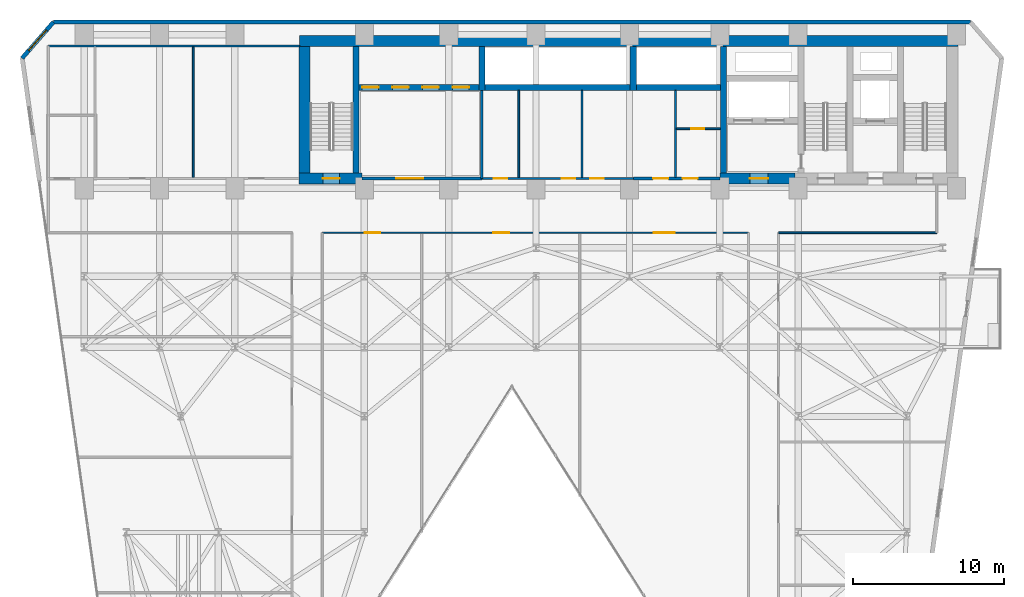
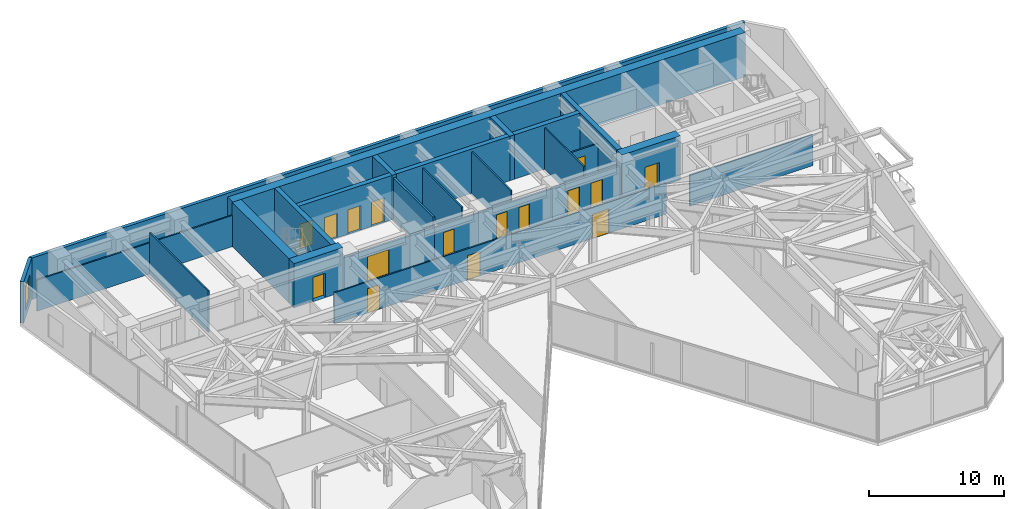
# One storey, part 20 of 24: 25 walls, 16 doors, 1 window, 17 openings.
"""IFC4 building model written with IfcOpenShell, lengths in metres."""

from ifc_helpers import new_model, si_unit, direction, frame, frame_2d, origin, place, context, subcontext, project, spatial, rectangle, extrude, material, layer, layer_set, type_object, element, fill, save


model = new_model("IFC4")

# Units and contexts
model_context = context("Model", 3, precision=1e-05, world=origin(), true_north=direction((0.0, 1.0)))
body_context = subcontext(model_context, "Body", "Model", "MODEL_VIEW")
ifc_project = project(units=[si_unit("LENGTHUNIT", "METRE"), si_unit("AREAUNIT", "SQUARE_METRE"), si_unit("VOLUMEUNIT", "CUBIC_METRE"), si_unit("PLANEANGLEUNIT", "RADIAN"), si_unit("MASSUNIT", "GRAM", prefix="KILO")], contexts=[model_context])

# Site, building, storey
site_placement = place(None, origin())
site = spatial("IfcSite", under=ifc_project, at=site_placement, CompositionType="ELEMENT")
building_placement = place(site_placement, origin())
building = spatial("IfcBuilding", under=site, at=building_placement, Name="Kravanh Interchange Tower", CompositionType="ELEMENT")
storey_placement = place(building_placement, frame((0.0, 0.0, 77.5)))
storey = spatial("IfcBuildingStorey", under=building, at=storey_placement, Name="L18", CompositionType="ELEMENT", Elevation=77.5)

# Wall
ifc_material_1 = material(Name="Double Acoustic Gypsum Board and Mineral Wool")
ifc_layer_1 = layer(ifc_material_1, 0.1201171875)
ifc_layer_set_1 = layer_set([ifc_layer_1], Name="Acoustic Office Drywall Partition 120mm")
wall_type_1 = type_object("IfcWallType", Name="Acoustic Office Drywall Partition 120mm", PredefinedType="PARTITIONING", material=ifc_layer_set_1)
wall_1_placement = place(storey_placement, frame((47.85009765625, 38.068115234375, 0.0), z_axis=(0.0, 0.0, 1.0), x_axis=(0.0, 1.0, 0.0)))
element("IfcWall", 1, at=wall_1_placement, inside=storey, type_object=wall_type_1, Name="L18 Interior Partition 2", PredefinedType="PARTITIONING", context=body_context, shape_type="SweptSolid", body=[
    extrude(rectangle(XDim=5.77392578125, YDim=0.1201171875, at=frame_2d((2.886962890625, 0.0))), origin(), (0.0, 0.0, 1.0), 3.739990234375),
])

# Wall, opening, door
wall_2_placement = place(storey_placement, frame((47.91796875, 41.300048828125, 0.0), z_axis=(0.0, 0.0, 1.0), x_axis=(1.0, 0.0, 0.0)))
wall_2 = element("IfcWall", 2, at=wall_2_placement, inside=storey, type_object=wall_type_1, Name="L18 Interior Partition 3", PredefinedType="PARTITIONING", context=body_context, shape_type="SweptSolid", body=[
    extrude(rectangle(XDim=2.924072265625, YDim=0.1201171875, at=frame_2d((1.4619140625, 0.0))), origin(), (0.0, 0.0, 1.0), 2.81298828125),
])
opening_1_placement = place(wall_2_placement, frame((0.9912109375, 0.0, 0.0)))
opening_1 = element("IfcOpeningElement", 3, at=opening_1_placement, cuts=wall_2, Name="Opening D-85", PredefinedType="OPENING", context=body_context, shape_type="SweptSolid", body=[
    extrude(rectangle(XDim=0.85009765625, YDim=2.10009765625, at=frame_2d((0.425048828125, 1.050048828125))), frame((0.0, 0.070068359375, 0.0), z_axis=(0.0, -1.0, 0.0), x_axis=(1.0, 0.0, 0.0)), (0.0, 0.0, 1.0), 0.14013671875),
])
ifc_material_2 = material(Name="Engineered Teak Veneer Timber", Category="wood")
door_type_1 = type_object("IfcDoorType", Name="En-Suite Timber Door 850x2100", OperationType="NOTDEFINED", PredefinedType="DOOR", material=ifc_material_2)
door_1_placement = place(opening_1_placement, origin())
door_1 = element("IfcDoor", 4, at=door_1_placement, inside=storey, type_object=door_type_1, Name="L18 Core Supply Inner Door", OperationType="SINGLE_SWING_RIGHT", OverallHeight=2.10009765625, OverallWidth=0.85009765625, PredefinedType="DOOR", context=body_context, shape_type="SweptSolid", body=[
    extrude(rectangle(XDim=0.85009765625, YDim=2.10009765625, at=frame_2d((0.425048828125, 1.050048828125))), frame((0.0, 0.02490234375, 0.0), z_axis=(0.0, -1.0, 0.0), x_axis=(1.0, 0.0, 0.0)), (0.0, 0.0, 1.0), 0.050048828125),
])
fill(opening_1, door_1)

# Walls
for number, where, z_axis, x_axis, name in (
    (5, (37.449951171875, 38.068115234375, 0.0), (0.0, 0.0, 1.0), (0.0, 1.0, 0.0), "L18 Interior Partition 7"),
    (6, (41.64990234375, 38.068115234375, 0.0), (0.0, 0.0, 1.0), (0.0, 1.0, 0.0), "L18 Interior Partition 8"),
):
    element("IfcWall", number, at=place(storey_placement, frame(where, z_axis=z_axis, x_axis=x_axis)), inside=storey, type_object=wall_type_1, Name=name, PredefinedType="PARTITIONING", context=body_context, shape_type="SweptSolid", body=[
        extrude(rectangle(XDim=5.77392578125, YDim=0.1201171875, at=frame_2d((2.886962890625, 0.0))), origin(), (0.0, 0.0, 1.0), 3.739990234375),
    ])
wall_3_placement = place(storey_placement, frame((6.219970703125, 46.800048828125, 0.0), z_axis=(0.0, 0.0, 1.0), x_axis=(1.0, 0.0, 0.0)))
element("IfcWall", 7, at=wall_3_placement, inside=storey, type_object=wall_type_1, Name="L18 Restroom North Enclosure 11", PredefinedType="PARTITIONING", context=body_context, shape_type="SweptSolid", body=[
    extrude(rectangle(XDim=16.679931640625, YDim=0.1201171875, at=frame_2d((8.33984375, 0.0))), origin(), (0.0, 0.0, 1.0), 2.81298828125),
])
wall_4_placement = place(storey_placement, frame((15.840087890625, 38.068115234375, 0.0), z_axis=(0.0, 0.0, 1.0), x_axis=(0.0, 1.0, 0.0)))
element("IfcWall", 8, at=wall_4_placement, inside=storey, type_object=wall_type_1, Name="L18 Interior Partition 13", PredefinedType="PARTITIONING", context=body_context, shape_type="SweptSolid", body=[
    extrude(rectangle(XDim=8.663818359375, YDim=0.1201171875, at=frame_2d((4.33203125, 0.0))), origin(), (0.0, 0.0, 1.0), 3.739990234375),
])

# Wall, openings, doors
wall_5_placement = place(storey_placement, frame((24.39990234375, 34.39990234375, 0.0), z_axis=(0.0, 0.0, 1.0), x_axis=(1.0, 0.0, 0.0)))
wall_5 = element("IfcWall", 9, at=wall_5_placement, inside=storey, type_object=wall_type_1, Name="L18 Interior Partition 16", PredefinedType="PARTITIONING", context=body_context, shape_type="SweptSolid", body=[
    extrude(rectangle(XDim=28.300048828125, YDim=0.1201171875, at=frame_2d((14.14990234375, 0.0))), origin(), (0.0, 0.0, 1.0), 2.81298828125),
])
opening_2_placement = place(wall_5_placement, frame((2.815185546875, 0.0, 0.0)))
opening_2 = element("IfcOpeningElement", 10, at=opening_2_placement, cuts=wall_5, Name="Opening D-105", PredefinedType="OPENING", context=body_context, shape_type="SweptSolid", body=[
    extrude(rectangle(XDim=1.050048828125, YDim=2.199951171875, at=frame_2d((0.52490234375, 1.10009765625))), frame((0.0, 0.070068359375, 0.0), z_axis=(0.0, -1.0, 0.0), x_axis=(1.0, 0.0, 0.0)), (0.0, 0.0, 1.0), 0.14013671875),
])
opening_3_placement = place(wall_5_placement, frame((11.365234375, 0.0, 0.0)))
opening_3 = element("IfcOpeningElement", 11, at=opening_3_placement, cuts=wall_5, Name="Opening D-105", PredefinedType="OPENING", context=body_context, shape_type="SweptSolid", body=[
    extrude(rectangle(XDim=1.050048828125, YDim=2.199951171875, at=frame_2d((0.52490234375, 1.10009765625))), frame((0.0, 0.070068359375, 0.0), z_axis=(0.0, -1.0, 0.0), x_axis=(1.0, 0.0, 0.0)), (0.0, 0.0, 1.0), 0.14013671875),
])
opening_4_placement = place(wall_5_placement, frame((22.0, 0.0, 0.0)))
opening_4 = element("IfcOpeningElement", 12, at=opening_4_placement, cuts=wall_5, Name="Opening DBL-140", PredefinedType="OPENING", context=body_context, shape_type="SweptSolid", body=[
    extrude(rectangle(XDim=1.39990234375, YDim=2.199951171875, at=frame_2d((0.699951171875, 1.10009765625))), frame((0.0, 0.070068359375, 0.0), z_axis=(0.0, -1.0, 0.0), x_axis=(1.0, 0.0, 0.0)), (0.0, 0.0, 1.0), 0.14013671875),
])
ifc_material_3 = material(Name="Acoustic Bronze-Framed Glass", Category="glass")
door_type_2 = type_object("IfcDoorType", Name="Hospitality Lounge Double Door 1400x2200", OperationType="DOUBLE_DOOR_SINGLE_SWING", PredefinedType="DOOR", material=ifc_material_3)
door_2_placement = place(opening_4_placement, origin())
door_2 = element("IfcDoor", 13, at=door_2_placement, inside=storey, type_object=door_type_2, Name="L18 Community Kitchenette Door", OperationType="DOUBLE_DOOR_SINGLE_SWING", OverallHeight=2.199951171875, OverallWidth=1.39990234375, PredefinedType="DOOR", context=body_context, shape_type="SweptSolid", body=[
    extrude(rectangle(XDim=1.39990234375, YDim=2.199951171875, at=frame_2d((0.699951171875, 1.10009765625))), frame((0.0, 0.02490234375, 0.0), z_axis=(0.0, -1.0, 0.0), x_axis=(1.0, 0.0, 0.0)), (0.0, 0.0, 1.0), 0.050048828125),
])
fill(opening_4, door_2)
ifc_material_4 = material(Name="Acoustic Glazed Oak and Aluminium", Category="aluminium")
door_type_3 = type_object("IfcDoorType", Name="Office Workplace Door 1050x2200", OperationType="NOTDEFINED", PredefinedType="DOOR", material=ifc_material_4)
door_3_placement = place(opening_2_placement, origin())
door_3 = element("IfcDoor", 14, at=door_3_placement, inside=storey, type_object=door_type_3, Name="L18 Incubator Commons Lounge Door", OperationType="SINGLE_SWING_LEFT", OverallHeight=2.199951171875, OverallWidth=1.050048828125, PredefinedType="DOOR", context=body_context, shape_type="SweptSolid", body=[
    extrude(rectangle(XDim=1.050048828125, YDim=2.199951171875, at=frame_2d((0.52490234375, 1.10009765625))), frame((0.0, 0.02490234375, 0.0), z_axis=(0.0, -1.0, 0.0), x_axis=(1.0, 0.0, 0.0)), (0.0, 0.0, 1.0), 0.050048828125),
])
fill(opening_2, door_3)
door_4_placement = place(opening_3_placement, origin())
door_4 = element("IfcDoor", 15, at=door_4_placement, inside=storey, type_object=door_type_3, Name="L18 Portfolio Office Door", OperationType="SINGLE_SWING_RIGHT", OverallHeight=2.199951171875, OverallWidth=1.050048828125, PredefinedType="DOOR", context=body_context, shape_type="SweptSolid", body=[
    extrude(rectangle(XDim=1.050048828125, YDim=2.199951171875, at=frame_2d((0.52490234375, 1.10009765625))), frame((0.0, 0.02490234375, 0.0), z_axis=(0.0, -1.0, 0.0), x_axis=(1.0, 0.0, 0.0)), (0.0, 0.0, 1.0), 0.050048828125),
])
fill(opening_3, door_4)

# Walls
wall_6_placement = place(storey_placement, frame((54.699951171875, 34.39990234375, 0.0), z_axis=(0.0, 0.0, 1.0), x_axis=(1.0, 0.0, 0.0)))
element("IfcWall", 16, at=wall_6_placement, inside=storey, type_object=wall_type_1, Name="L18 Interior Partition 17", PredefinedType="PARTITIONING", context=body_context, shape_type="SweptSolid", body=[
    extrude(rectangle(XDim=10.5, YDim=0.1201171875, at=frame_2d((5.25, 0.0))), origin(), (0.0, 0.0, 1.0), 2.81298828125),
])
ifc_material_5 = material(Name="Concrete C80/95", Category="concrete")
ifc_layer_2 = layer(ifc_material_5, 0.39990234375)
ifc_layer_set_2 = layer_set([ifc_layer_2], Name="Core Shear Wall Concrete C80/95 400mm")
wall_type_2 = type_object("IfcWallType", Name="Core Shear Wall Concrete C80/95 400mm", PredefinedType="SHEAR", material=ifc_layer_set_2)
wall_7_placement = place(storey_placement, frame((51.050048828125, 38.375, 0.0), z_axis=(0.0, 0.0, 1.0), x_axis=(0.0, 1.0, 0.0)))
element("IfcWall", 17, at=wall_7_placement, inside=storey, type_object=wall_type_2, Name="L18 Firefighting Lobby West Wall", PredefinedType="SHEAR", context=body_context, shape_type="SweptSolid", body=[
    extrude(rectangle(XDim=8.375, YDim=0.39990234375, at=frame_2d((4.1875, 0.0))), origin(), (0.0, 0.0, 1.0), 4.0),
])
wall_8_placement = place(storey_placement, frame((45.25, 44.050048828125, 0.0), z_axis=(0.0, 0.0, 1.0), x_axis=(1.0, 0.0, 0.0)))
element("IfcWall", 18, at=wall_8_placement, inside=storey, type_object=wall_type_2, Name="L18 High-Rise Lift Shaft South Wall", PredefinedType="SHEAR", context=body_context, shape_type="SweptSolid", body=[
    extrude(rectangle(XDim=5.60009765625, YDim=0.39990234375, at=frame_2d((2.800048828125, 0.0))), origin(), (0.0, 0.0, 1.0), 4.0),
])
wall_9_placement = place(storey_placement, frame((45.050048828125, 43.85009765625, 0.0), z_axis=(0.0, 0.0, 1.0), x_axis=(0.0, 1.0, 0.0)))
element("IfcWall", 19, at=wall_9_placement, inside=storey, type_object=wall_type_2, Name="L18 High-Rise Lift Shaft West Wall", PredefinedType="SHEAR", context=body_context, shape_type="SweptSolid", body=[
    extrude(rectangle(XDim=2.89990234375, YDim=0.39990234375, at=frame_2d((1.449951171875, 0.0))), origin(), (0.0, 0.0, 1.0), 4.0),
])
wall_10_placement = place(storey_placement, frame((35.199951171875, 44.050048828125, 0.0), z_axis=(0.0, 0.0, 1.0), x_axis=(1.0, 0.0, 0.0)))
element("IfcWall", 20, at=wall_10_placement, inside=storey, type_object=wall_type_2, Name="L18 Mid-Rise Lift Shaft South Wall", PredefinedType="SHEAR", context=body_context, shape_type="SweptSolid", body=[
    extrude(rectangle(XDim=9.650146484375, YDim=0.39990234375, at=frame_2d((4.8251953125, 0.0))), origin(), (0.0, 0.0, 1.0), 4.0),
])
wall_11_placement = place(storey_placement, frame((35.0, 43.85009765625, 0.0), z_axis=(0.0, 0.0, 1.0), x_axis=(0.0, 1.0, 0.0)))
element("IfcWall", 21, at=wall_11_placement, inside=storey, type_object=wall_type_2, Name="L18 Mid-Rise Lift Shaft West Wall", PredefinedType="SHEAR", context=body_context, shape_type="SweptSolid", body=[
    extrude(rectangle(XDim=2.89990234375, YDim=0.39990234375, at=frame_2d((1.449951171875, 0.0))), origin(), (0.0, 0.0, 1.0), 4.0),
])

# Wall, openings, doors
wall_12_placement = place(storey_placement, frame((26.85009765625, 44.050048828125, 0.0), z_axis=(0.0, 0.0, 1.0), x_axis=(1.0, 0.0, 0.0)))
wall_12 = element("IfcWall", 22, at=wall_12_placement, inside=storey, type_object=wall_type_2, Name="L18 Low-Rise Lift Shaft South Wall", PredefinedType="SHEAR", context=body_context, shape_type="SweptSolid", body=[
    extrude(rectangle(XDim=7.949951171875, YDim=0.39990234375, at=frame_2d((3.97509765625, 0.0))), origin(), (0.0, 0.0, 1.0), 4.0),
])
opening_5_placement = place(wall_12_placement, frame((0.199951171875, 0.0, 0.0)))
opening_5 = element("IfcOpeningElement", 23, at=opening_5_placement, cuts=wall_12, Name="Opening LD01", PredefinedType="OPENING", context=body_context, shape_type="SweptSolid", body=[
    extrude(rectangle(XDim=1.10009765625, YDim=2.199951171875, at=frame_2d((0.550048828125, 1.10009765625))), frame((0.0, 0.2099609375, 0.0), z_axis=(0.0, -1.0, 0.0), x_axis=(1.0, 0.0, 0.0)), (0.0, 0.0, 1.0), 0.419921875),
])
opening_6_placement = place(wall_12_placement, frame((2.199951171875, 0.0, 0.0)))
opening_6 = element("IfcOpeningElement", 24, at=opening_6_placement, cuts=wall_12, Name="Opening LD01", PredefinedType="OPENING", context=body_context, shape_type="SweptSolid", body=[
    extrude(rectangle(XDim=1.10009765625, YDim=2.199951171875, at=frame_2d((0.550048828125, 1.10009765625))), frame((0.0, 0.2099609375, 0.0), z_axis=(0.0, -1.0, 0.0), x_axis=(1.0, 0.0, 0.0)), (0.0, 0.0, 1.0), 0.419921875),
])
opening_7_placement = place(wall_12_placement, frame((4.199951171875, 0.0, 0.0)))
opening_7 = element("IfcOpeningElement", 25, at=opening_7_placement, cuts=wall_12, Name="Opening LD01", PredefinedType="OPENING", context=body_context, shape_type="SweptSolid", body=[
    extrude(rectangle(XDim=1.10009765625, YDim=2.199951171875, at=frame_2d((0.550048828125, 1.10009765625))), frame((0.0, 0.2099609375, 0.0), z_axis=(0.0, -1.0, 0.0), x_axis=(1.0, 0.0, 0.0)), (0.0, 0.0, 1.0), 0.419921875),
])
opening_8_placement = place(wall_12_placement, frame((6.199951171875, 0.0, 0.0)))
opening_8 = element("IfcOpeningElement", 26, at=opening_8_placement, cuts=wall_12, Name="Opening LD01", PredefinedType="OPENING", context=body_context, shape_type="SweptSolid", body=[
    extrude(rectangle(XDim=1.10009765625, YDim=2.199951171875, at=frame_2d((0.550048828125, 1.10009765625))), frame((0.0, 0.2099609375, 0.0), z_axis=(0.0, -1.0, 0.0), x_axis=(1.0, 0.0, 0.0)), (0.0, 0.0, 1.0), 0.419921875),
])
ifc_material_6 = material(Name="Stainless Steel 304", Category="steel")
door_type_4 = type_object("IfcDoorType", Name="Passenger Lift Sliding Landing Door 1100x2200", OperationType="DOUBLE_DOOR_SLIDING", PredefinedType="DOOR", material=ifc_material_6)
door_5_placement = place(opening_5_placement, origin())
door_5 = element("IfcDoor", 27, at=door_5_placement, inside=storey, type_object=door_type_4, Name="L18 Lift LP-L1 Landing Door", OperationType="DOUBLE_DOOR_SLIDING", OverallHeight=2.199951171875, OverallWidth=1.10009765625, PredefinedType="DOOR", context=body_context, shape_type="SweptSolid", body=[
    extrude(rectangle(XDim=1.10009765625, YDim=2.199951171875, at=frame_2d((0.550048828125, 1.10009765625))), frame((0.0, 0.02490234375, 0.0), z_axis=(0.0, -1.0, 0.0), x_axis=(1.0, 0.0, 0.0)), (0.0, 0.0, 1.0), 0.050048828125),
])
fill(opening_5, door_5)
door_6_placement = place(opening_6_placement, origin())
door_6 = element("IfcDoor", 28, at=door_6_placement, inside=storey, type_object=door_type_4, Name="L18 Lift LP-L2 Landing Door", OperationType="DOUBLE_DOOR_SLIDING", OverallHeight=2.199951171875, OverallWidth=1.10009765625, PredefinedType="DOOR", context=body_context, shape_type="SweptSolid", body=[
    extrude(rectangle(XDim=1.10009765625, YDim=2.199951171875, at=frame_2d((0.550048828125, 1.10009765625))), frame((0.0, 0.02490234375, 0.0), z_axis=(0.0, -1.0, 0.0), x_axis=(1.0, 0.0, 0.0)), (0.0, 0.0, 1.0), 0.050048828125),
])
fill(opening_6, door_6)
door_7_placement = place(opening_7_placement, origin())
door_7 = element("IfcDoor", 29, at=door_7_placement, inside=storey, type_object=door_type_4, Name="L18 Lift LP-L3 Landing Door", OperationType="DOUBLE_DOOR_SLIDING", OverallHeight=2.199951171875, OverallWidth=1.10009765625, PredefinedType="DOOR", context=body_context, shape_type="SweptSolid", body=[
    extrude(rectangle(XDim=1.10009765625, YDim=2.199951171875, at=frame_2d((0.550048828125, 1.10009765625))), frame((0.0, 0.02490234375, 0.0), z_axis=(0.0, -1.0, 0.0), x_axis=(1.0, 0.0, 0.0)), (0.0, 0.0, 1.0), 0.050048828125),
])
fill(opening_7, door_7)
door_8_placement = place(opening_8_placement, origin())
door_8 = element("IfcDoor", 30, at=door_8_placement, inside=storey, type_object=door_type_4, Name="L18 Lift LP-L4 Landing Door", OperationType="DOUBLE_DOOR_SLIDING", OverallHeight=2.199951171875, OverallWidth=1.10009765625, PredefinedType="DOOR", context=body_context, shape_type="SweptSolid", body=[
    extrude(rectangle(XDim=1.10009765625, YDim=2.199951171875, at=frame_2d((0.550048828125, 1.10009765625))), frame((0.0, 0.02490234375, 0.0), z_axis=(0.0, -1.0, 0.0), x_axis=(1.0, 0.0, 0.0)), (0.0, 0.0, 1.0), 0.050048828125),
])
fill(opening_8, door_8)

# Walls
wall_13_placement = place(storey_placement, frame((26.64990234375, 38.375, 0.0), z_axis=(0.0, 0.0, 1.0), x_axis=(0.0, 1.0, 0.0)))
element("IfcWall", 31, at=wall_13_placement, inside=storey, type_object=wall_type_2, Name="L18 Stair ST3 East Shear Wall", PredefinedType="SHEAR", context=body_context, shape_type="SweptSolid", body=[
    extrude(rectangle(XDim=8.375, YDim=0.39990234375, at=frame_2d((4.1875, 0.0))), origin(), (0.0, 0.0, 1.0), 4.0),
])
ifc_material_7 = material(Name="Concrete C80/95", Category="concrete")
ifc_layer_3 = layer(ifc_material_7, 0.75)
ifc_layer_set_3 = layer_set([ifc_layer_3], Name="Core Shear Wall Concrete C80/95 750mm")
wall_type_3 = type_object("IfcWallType", Name="Core Shear Wall Concrete C80/95 750mm", PredefinedType="SHEAR", material=ifc_layer_set_3)
wall_14_placement = place(storey_placement, frame((22.89990234375, 47.125, 0.0), z_axis=(0.0, 0.0, 1.0), x_axis=(1.0, 0.0, 0.0)))
element("IfcWall", 32, at=wall_14_placement, inside=storey, type_object=wall_type_3, Name="L18 North Core Shear Wall", PredefinedType="SHEAR", context=body_context, shape_type="SweptSolid", body=[
    extrude(rectangle(XDim=43.7001953125, YDim=0.75, at=frame_2d((21.85009765625, 0.0))), origin(), (0.0, 0.0, 1.0), 4.0),
])

# Wall, opening, door
wall_15_placement = place(storey_placement, frame((50.800048828125, 38.0, 0.0), z_axis=(0.0, 0.0, 1.0), x_axis=(1.0, 0.0, 0.0)))
wall_15 = element("IfcWall", 33, at=wall_15_placement, inside=storey, type_object=wall_type_3, Name="L18 Firefighting Lobby South Shear Wall", PredefinedType="SHEAR", context=body_context, shape_type="SweptSolid", body=[
    extrude(rectangle(XDim=5.0, YDim=0.75, at=frame_2d((2.5, 0.0))), origin(), (0.0, 0.0, 1.0), 4.0),
])
opening_9_placement = place(wall_15_placement, frame((2.0, 0.0, 0.0)))
opening_9 = element("IfcOpeningElement", 34, at=opening_9_placement, cuts=wall_15, Name="Opening D-FSAE-120", PredefinedType="OPENING", context=body_context, shape_type="SweptSolid", body=[
    extrude(rectangle(XDim=1.199951171875, YDim=2.199951171875, at=frame_2d((0.60009765625, 1.10009765625))), frame((0.0, 0.385009765625, 0.0), z_axis=(0.0, -1.0, 0.0), x_axis=(1.0, 0.0, 0.0)), (0.0, 0.0, 1.0), 0.77001953125),
])
ifc_material_8 = material(Name="Structural Steel S355", Category="steel")
door_type_5 = type_object("IfcDoorType", Name="Fire-Rated Refuge and FSAE Door 1200x2200", OperationType="NOTDEFINED", PredefinedType="DOOR", material=ifc_material_8)
door_9_placement = place(opening_9_placement, origin())
door_9 = element("IfcDoor", 35, at=door_9_placement, inside=storey, type_object=door_type_5, Name="L18 Firefighting Lobby Corridor Door", OperationType="SINGLE_SWING_RIGHT", OverallHeight=2.199951171875, OverallWidth=1.199951171875, PredefinedType="DOOR", context=body_context, shape_type="SweptSolid", body=[
    extrude(rectangle(XDim=1.199951171875, YDim=2.199951171875, at=frame_2d((0.60009765625, 1.10009765625))), frame((0.0, 0.02490234375, 0.0), z_axis=(0.0, -1.0, 0.0), x_axis=(1.0, 0.0, 0.0)), (0.0, 0.0, 1.0), 0.050048828125),
])
fill(opening_9, door_9)

wall_16_placement = place(storey_placement, frame((22.85009765625, 38.0, 0.0), z_axis=(0.0, 0.0, 1.0), x_axis=(1.0, 0.0, 0.0)))
wall_16 = element("IfcWall", 36, at=wall_16_placement, inside=storey, type_object=wall_type_3, Name="L18 Stair ST3 South Shear Wall", PredefinedType="SHEAR", context=body_context, shape_type="SweptSolid", body=[
    extrude(rectangle(XDim=4.199951171875, YDim=0.75, at=frame_2d((2.10009765625, 0.0))), origin(), (0.0, 0.0, 1.0), 4.0),
])
opening_10_placement = place(wall_16_placement, frame((1.60009765625, 0.0, 0.0)))
opening_10 = element("IfcOpeningElement", 37, at=opening_10_placement, cuts=wall_16, Name="Opening D-STAIR-110", PredefinedType="OPENING", context=body_context, shape_type="SweptSolid", body=[
    extrude(rectangle(XDim=1.10009765625, YDim=2.199951171875, at=frame_2d((0.550048828125, 1.10009765625))), frame((0.0, 0.385009765625, 0.0), z_axis=(0.0, -1.0, 0.0), x_axis=(1.0, 0.0, 0.0)), (0.0, 0.0, 1.0), 0.77001953125),
])
ifc_material_9 = material(Name="Structural Steel S355", Category="steel")
door_type_6 = type_object("IfcDoorType", Name="Fire-Rated Exit Stair Door 1100x2200", OperationType="NOTDEFINED", PredefinedType="DOOR", material=ifc_material_9)
door_10_placement = place(opening_10_placement, origin())
door_10 = element("IfcDoor", 38, at=door_10_placement, inside=storey, type_object=door_type_6, Name="L18 Exit Stair ST3 Door", OperationType="SINGLE_SWING_RIGHT", OverallHeight=2.199951171875, OverallWidth=1.10009765625, PredefinedType="DOOR", context=body_context, shape_type="SweptSolid", body=[
    extrude(rectangle(XDim=1.10009765625, YDim=2.199951171875, at=frame_2d((0.550048828125, 1.10009765625))), frame((0.0, 0.02490234375, 0.0), z_axis=(0.0, -1.0, 0.0), x_axis=(1.0, 0.0, 0.0)), (0.0, 0.0, 1.0), 0.050048828125),
])
fill(opening_10, door_10)

# Wall
wall_17_placement = place(storey_placement, frame((23.22509765625, 38.375, 0.0), z_axis=(0.0, 0.0, 1.0), x_axis=(0.0, 1.0, 0.0)))
element("IfcWall", 39, at=wall_17_placement, inside=storey, type_object=wall_type_3, Name="L18 Stair ST3 West Shear Wall", PredefinedType="SHEAR", context=body_context, shape_type="SweptSolid", body=[
    extrude(rectangle(XDim=8.375, YDim=0.75, at=frame_2d((4.1875, 0.0))), origin(), (0.0, 0.0, 1.0), 4.0),
])

# Wall, opening, window
ifc_material_10 = material(Name="Insulated Precast Concrete C40/50 with Bronze Cladding", Category="concrete")
ifc_layer_4 = layer(ifc_material_10, 0.280029296875)
ifc_layer_set_4 = layer_set([ifc_layer_4], Name="Exterior Insulated Concrete C40/50 Bronze Spandrel Wall 280mm")
wall_type_4 = type_object("IfcWallType", Name="Exterior Insulated Concrete C40/50 Bronze Spandrel Wall 280mm", PredefinedType="STANDARD", material=ifc_layer_set_4)
wall_18_placement = place(storey_placement, frame((4.474365234375, 45.98681640625, 0.0), z_axis=(0.0, 0.0, 1.0), x_axis=(0.656070053895, 0.754699996278, 0.0)))
wall_18 = element("IfcWall", 40, at=wall_18_placement, inside=storey, type_object=wall_type_4, Name="L18 Exterior Wall 2", PredefinedType="STANDARD", context=body_context, shape_type="SweptSolid", body=[
    extrude(rectangle(XDim=3.1708984375, YDim=0.280029296875, at=frame_2d((1.58544921875, 0.0))), origin(), (0.0, 0.0, 1.0), 3.739990234375),
])
opening_11_placement = place(wall_18_placement, frame((0.66650390625, 0.0, 0.64990234375)))
opening_11 = element("IfcOpeningElement", 41, at=opening_11_placement, cuts=wall_18, Name="Opening WN-180X210", PredefinedType="OPENING", context=body_context, shape_type="SweptSolid", body=[
    extrude(rectangle(XDim=1.800048828125, YDim=2.10009765625, at=frame_2d((0.89990234375, 1.050048828125))), frame((0.0, 0.14990234375, 0.0), z_axis=(0.0, -1.0, 0.0), x_axis=(1.0, 0.0, 0.0)), (0.0, 0.0, 1.0), 0.300048828125),
])
ifc_material_11 = material(Name="Thermally Broken Bronze Aluminium and Low-E Glass", Category="aluminium")
window_type = type_object("IfcWindowType", Name="Tower Pier Window 1800x2100", PartitioningType="SINGLE_PANEL", PredefinedType="WINDOW", material=ifc_material_11)
window_placement = place(opening_11_placement, origin())
window = element("IfcWindow", 42, at=window_placement, inside=storey, type_object=window_type, Name="L18 Corner Window 2", OverallHeight=2.10009765625, OverallWidth=1.800048828125, PartitioningType="SINGLE_PANEL", PredefinedType="WINDOW", context=body_context, shape_type="SweptSolid", body=[
    extrude(rectangle(XDim=1.800048828125, YDim=2.10009765625, at=frame_2d((0.89990234375, 1.050048828125))), frame((0.0, 0.030029296875, 0.0), z_axis=(0.0, -1.0, 0.0), x_axis=(1.0, 0.0, 0.0)), (0.0, 0.0, 1.0), 0.06005859375),
])
fill(opening_11, window)

# Wall
wall_19_placement = place(storey_placement, frame((6.5546875, 48.3798828125, 0.0), z_axis=(0.0, 0.0, 1.0), x_axis=(1.0, 0.0, 0.0)))
element("IfcWall", 43, at=wall_19_placement, inside=storey, type_object=wall_type_4, Name="L18 Exterior Wall 3", PredefinedType="STANDARD", context=body_context, shape_type="SweptSolid", body=[
    extrude(rectangle(XDim=60.890625, YDim=0.280029296875, at=frame_2d((30.4453125, 0.0))), origin(), (0.0, 0.0, 1.0), 3.739990234375),
])

# Wall, openings, doors
ifc_material_12 = material(Name="Autoclaved Aerated Concrete C30/37 Blockwork", Category="masonry")
ifc_layer_5 = layer(ifc_material_12, 0.179931640625)
ifc_layer_set_5 = layer_set([ifc_layer_5], Name="Fire-Rated Lobby and Corridor Wall Concrete C30/37 180mm")
wall_type_5 = type_object("IfcWallType", Name="Fire-Rated Lobby and Corridor Wall Concrete C30/37 180mm", PredefinedType="STANDARD", material=ifc_layer_set_5)
wall_20_placement = place(storey_placement, frame((45.050048828125, 38.0, 0.0), z_axis=(0.0, 0.0, 1.0), x_axis=(1.0, 0.0, 0.0)))
wall_20 = element("IfcWall", 44, at=wall_20_placement, inside=storey, type_object=wall_type_5, Name="L18 Core South Enclosure 1", PredefinedType="STANDARD", context=body_context, shape_type="SweptSolid", body=[
    extrude(rectangle(XDim=5.75, YDim=0.179931640625, at=frame_2d((2.875, 0.0))), origin(), (0.0, 0.0, 1.0), 2.81298828125),
])
opening_12_placement = place(wall_20_placement, frame((1.324951171875, 0.0, 0.0)))
opening_12 = element("IfcOpeningElement", 45, at=opening_12_placement, cuts=wall_20, Name="Opening D-HOTEL-100", PredefinedType="OPENING", context=body_context, shape_type="SweptSolid", body=[
    extrude(rectangle(XDim=1.0, YDim=2.14990234375, at=frame_2d((0.5, 1.074951171875))), frame((0.0, 0.10009765625, 0.0), z_axis=(0.0, -1.0, 0.0), x_axis=(1.0, 0.0, 0.0)), (0.0, 0.0, 1.0), 0.199951171875),
])
opening_13_placement = place(wall_20_placement, frame((3.27490234375, 0.0, 0.0)))
opening_13 = element("IfcOpeningElement", 46, at=opening_13_placement, cuts=wall_20, Name="Opening D-HOTEL-100", PredefinedType="OPENING", context=body_context, shape_type="SweptSolid", body=[
    extrude(rectangle(XDim=1.0, YDim=2.14990234375, at=frame_2d((0.5, 1.074951171875))), frame((0.0, 0.10009765625, 0.0), z_axis=(0.0, -1.0, 0.0), x_axis=(1.0, 0.0, 0.0)), (0.0, 0.0, 1.0), 0.199951171875),
])
ifc_material_13 = material(Name="Fire-Rated Solid Timber Leaf", Category="wood")
door_type_7 = type_object("IfcDoorType", Name="Fire-Rated Suite Entrance Door 1000x2150", OperationType="NOTDEFINED", PredefinedType="DOOR", material=ifc_material_13)
door_11_placement = place(opening_12_placement, origin())
door_11 = element("IfcDoor", 47, at=door_11_placement, inside=storey, type_object=door_type_7, Name="L18 Core Metering Door", OperationType="SINGLE_SWING_RIGHT", OverallHeight=2.14990234375, OverallWidth=1.0, PredefinedType="DOOR", context=body_context, shape_type="SweptSolid", body=[
    extrude(rectangle(XDim=1.0, YDim=2.14990234375, at=frame_2d((0.5, 1.074951171875))), frame((0.0, 0.02490234375, 0.0), z_axis=(0.0, -1.0, 0.0), x_axis=(1.0, 0.0, 0.0)), (0.0, 0.0, 1.0), 0.050048828125),
])
fill(opening_12, door_11)
door_12_placement = place(opening_13_placement, origin())
door_12 = element("IfcDoor", 48, at=door_12_placement, inside=storey, type_object=door_type_7, Name="L18 Core Copy Room Door", OperationType="SINGLE_SWING_LEFT", OverallHeight=2.14990234375, OverallWidth=1.0, PredefinedType="DOOR", context=body_context, shape_type="SweptSolid", body=[
    extrude(rectangle(XDim=1.0, YDim=2.14990234375, at=frame_2d((0.5, 1.074951171875))), frame((0.0, 0.02490234375, 0.0), z_axis=(0.0, -1.0, 0.0), x_axis=(1.0, 0.0, 0.0)), (0.0, 0.0, 1.0), 0.050048828125),
])
fill(opening_13, door_12)

# Wall
wall_21_placement = place(storey_placement, frame((35.0, 38.0, 0.0), z_axis=(0.0, 0.0, 1.0), x_axis=(0.0, 1.0, 0.0)))
element("IfcWall", 49, at=wall_21_placement, inside=storey, type_object=wall_type_5, Name="L18 Low-Rise Lobby East Wall 4", PredefinedType="STANDARD", context=body_context, shape_type="SweptSolid", body=[
    extrude(rectangle(XDim=5.85009765625, YDim=0.179931640625, at=frame_2d((2.925048828125, 0.0))), origin(), (0.0, 0.0, 1.0), 3.739990234375),
])

# Wall, opening, door
wall_22_placement = place(storey_placement, frame((27.050048828125, 38.0, 0.0), z_axis=(0.0, 0.0, 1.0), x_axis=(1.0, 0.0, 0.0)))
wall_22 = element("IfcWall", 50, at=wall_22_placement, inside=storey, type_object=wall_type_5, Name="L18 Low-Rise Lobby South Wall 5", PredefinedType="STANDARD", context=body_context, shape_type="SweptSolid", body=[
    extrude(rectangle(XDim=7.949951171875, YDim=0.179931640625, at=frame_2d((3.97509765625, 0.0))), origin(), (0.0, 0.0, 1.0), 2.81298828125),
])
opening_14_placement = place(wall_22_placement, frame((2.25, 0.0, 0.0)))
opening_14 = element("IfcOpeningElement", 51, at=opening_14_placement, cuts=wall_22, Name="Opening DBL-180", PredefinedType="OPENING", context=body_context, shape_type="SweptSolid", body=[
    extrude(rectangle(XDim=1.800048828125, YDim=2.199951171875, at=frame_2d((0.89990234375, 1.10009765625))), frame((0.0, 0.10009765625, 0.0), z_axis=(0.0, -1.0, 0.0), x_axis=(1.0, 0.0, 0.0)), (0.0, 0.0, 1.0), 0.199951171875),
])
ifc_material_14 = material(Name="Structural Steel S355", Category="steel")
door_type_8 = type_object("IfcDoorType", Name="Lift Lobby Double Fire Door 1800x2200", OperationType="DOUBLE_DOOR_SINGLE_SWING", PredefinedType="DOOR", material=ifc_material_14)
door_13_placement = place(opening_14_placement, origin())
door_13 = element("IfcDoor", 52, at=door_13_placement, inside=storey, type_object=door_type_8, Name="L18 Low-Rise Lift Lobby Door", OperationType="DOUBLE_DOOR_SINGLE_SWING", OverallHeight=2.199951171875, OverallWidth=1.800048828125, PredefinedType="DOOR", context=body_context, shape_type="SweptSolid", body=[
    extrude(rectangle(XDim=1.800048828125, YDim=2.199951171875, at=frame_2d((0.89990234375, 1.10009765625))), frame((0.0, 0.02490234375, 0.0), z_axis=(0.0, -1.0, 0.0), x_axis=(1.0, 0.0, 0.0)), (0.0, 0.0, 1.0), 0.050048828125),
])
fill(opening_14, door_13)

# Wall, openings, doors
ifc_material_15 = material(Name="Twin Stud Acoustic Gypsum Board Wall")
ifc_layer_6 = layer(ifc_material_15, 0.14990234375)
ifc_layer_set_6 = layer_set([ifc_layer_6], Name="Medium-Duty Acoustic Partition 150mm")
wall_type_6 = type_object("IfcWallType", Name="Medium-Duty Acoustic Partition 150mm", PredefinedType="PARTITIONING", material=ifc_layer_set_6)
wall_23_placement = place(storey_placement, frame((35.0, 38.0, 0.0), z_axis=(0.0, 0.0, 1.0), x_axis=(1.0, 0.0, 0.0)))
wall_23 = element("IfcWall", 53, at=wall_23_placement, inside=storey, type_object=wall_type_6, Name="L18 Core Support South Wall 6", PredefinedType="PARTITIONING", context=body_context, shape_type="SweptSolid", body=[
    extrude(rectangle(XDim=10.050048828125, YDim=0.14990234375, at=frame_2d((5.02490234375, 0.0))), origin(), (0.0, 0.0, 1.0), 2.81298828125),
])
opening_15_placement = place(wall_23_placement, frame((0.78466796875, 0.0, 0.0)))
opening_15 = element("IfcOpeningElement", 54, at=opening_15_placement, cuts=wall_23, Name="Opening D-90", PredefinedType="OPENING", context=body_context, shape_type="SweptSolid", body=[
    extrude(rectangle(XDim=0.89990234375, YDim=2.10009765625, at=frame_2d((0.449951171875, 1.050048828125))), frame((0.0, 0.0849609375, 0.0), z_axis=(0.0, -1.0, 0.0), x_axis=(1.0, 0.0, 0.0)), (0.0, 0.0, 1.0), 0.169921875),
])
opening_16_placement = place(wall_23_placement, frame((5.300048828125, 0.0, 0.0)))
opening_16 = element("IfcOpeningElement", 55, at=opening_16_placement, cuts=wall_23, Name="Opening D-90", PredefinedType="OPENING", context=body_context, shape_type="SweptSolid", body=[
    extrude(rectangle(XDim=0.89990234375, YDim=2.10009765625, at=frame_2d((0.449951171875, 1.050048828125))), frame((0.0, 0.0849609375, 0.0), z_axis=(0.0, -1.0, 0.0), x_axis=(1.0, 0.0, 0.0)), (0.0, 0.0, 1.0), 0.169921875),
])
opening_17_placement = place(wall_23_placement, frame((7.199951171875, 0.0, 0.0)))
opening_17 = element("IfcOpeningElement", 56, at=opening_17_placement, cuts=wall_23, Name="Opening D-90", PredefinedType="OPENING", context=body_context, shape_type="SweptSolid", body=[
    extrude(rectangle(XDim=0.89990234375, YDim=2.10009765625, at=frame_2d((0.449951171875, 1.050048828125))), frame((0.0, 0.0849609375, 0.0), z_axis=(0.0, -1.0, 0.0), x_axis=(1.0, 0.0, 0.0)), (0.0, 0.0, 1.0), 0.169921875),
])
ifc_material_16 = material(Name="Painted Solid-Core Timber", Category="wood")
door_type_9 = type_object("IfcDoorType", Name="Service Room Door 900x2100", OperationType="NOTDEFINED", PredefinedType="DOOR", material=ifc_material_16)
door_14_placement = place(opening_15_placement, origin())
door_14 = element("IfcDoor", 57, at=door_14_placement, inside=storey, type_object=door_type_9, Name="L18 IDF Closet Door", OperationType="SINGLE_SWING_LEFT", OverallHeight=2.10009765625, OverallWidth=0.89990234375, PredefinedType="DOOR", context=body_context, shape_type="SweptSolid", body=[
    extrude(rectangle(XDim=0.89990234375, YDim=2.10009765625, at=frame_2d((0.449951171875, 1.050048828125))), frame((0.0, 0.02490234375, 0.0), z_axis=(0.0, -1.0, 0.0), x_axis=(1.0, 0.0, 0.0)), (0.0, 0.0, 1.0), 0.050048828125),
])
fill(opening_15, door_14)
door_15_placement = place(opening_16_placement, origin())
door_15 = element("IfcDoor", 58, at=door_15_placement, inside=storey, type_object=door_type_9, Name="L18 AHU Fan Room Door", OperationType="SINGLE_SWING_RIGHT", OverallHeight=2.10009765625, OverallWidth=0.89990234375, PredefinedType="DOOR", context=body_context, shape_type="SweptSolid", body=[
    extrude(rectangle(XDim=0.89990234375, YDim=2.10009765625, at=frame_2d((0.449951171875, 1.050048828125))), frame((0.0, 0.02490234375, 0.0), z_axis=(0.0, -1.0, 0.0), x_axis=(1.0, 0.0, 0.0)), (0.0, 0.0, 1.0), 0.050048828125),
])
fill(opening_16, door_15)
door_16_placement = place(opening_17_placement, origin())
door_16 = element("IfcDoor", 59, at=door_16_placement, inside=storey, type_object=door_type_9, Name="L18 Archive Closet Door", OperationType="SINGLE_SWING_LEFT", OverallHeight=2.10009765625, OverallWidth=0.89990234375, PredefinedType="DOOR", context=body_context, shape_type="SweptSolid", body=[
    extrude(rectangle(XDim=0.89990234375, YDim=2.10009765625, at=frame_2d((0.449951171875, 1.050048828125))), frame((0.0, 0.02490234375, 0.0), z_axis=(0.0, -1.0, 0.0), x_axis=(1.0, 0.0, 0.0)), (0.0, 0.0, 1.0), 0.050048828125),
])
fill(opening_17, door_16)

save(model, "model.ifc")
